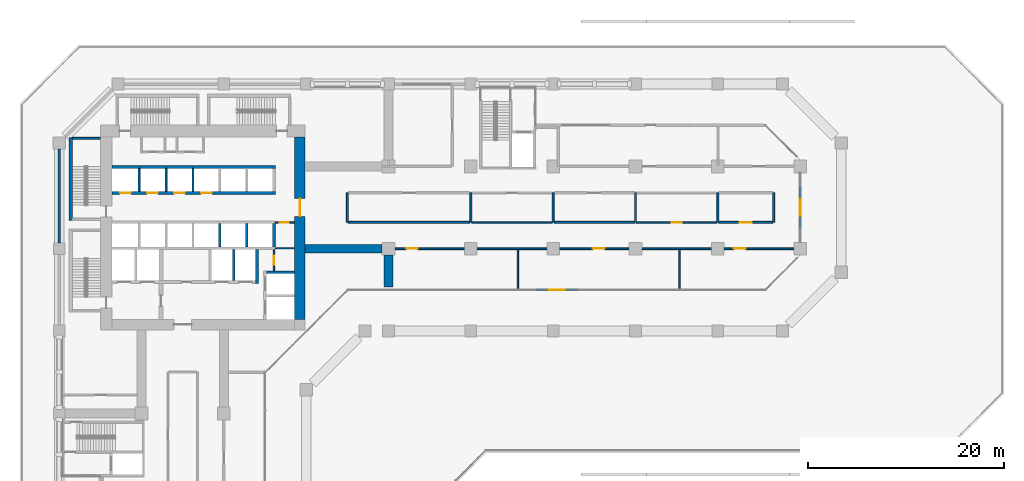
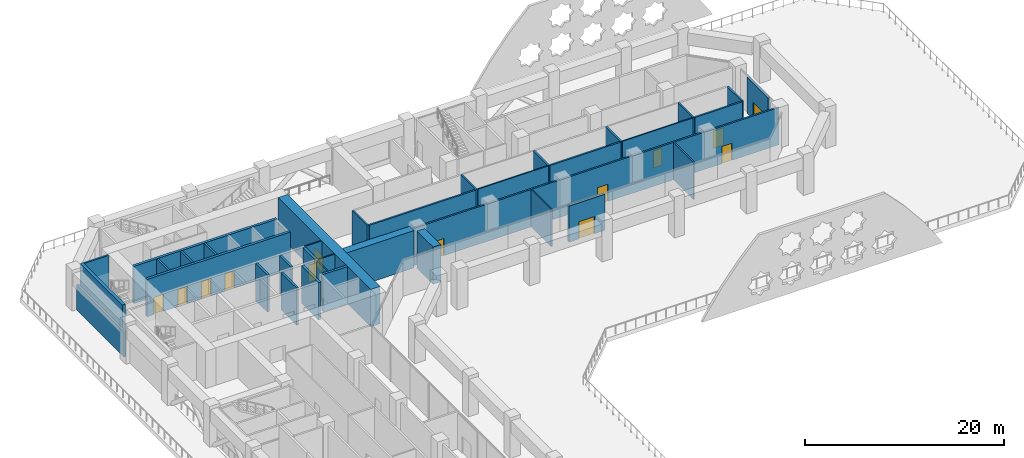
# One storey, part 8 of 19: 36 walls, 14 doors, 14 openings.
"""IFC4 building model written with IfcOpenShell, lengths in metres."""

from ifc_helpers import new_model, si_unit, direction, frame, frame_2d, origin, place, context, subcontext, project, spatial, rectangle, extrude, material, layer, layer_set, type_object, element, fill, save


model = new_model("IFC4")

# Units and contexts
model_context = context("Model", 3, precision=1e-05, world=origin(), true_north=direction((0.0, 1.0)))
body_context = subcontext(model_context, "Body", "Model", "MODEL_VIEW")
ifc_project = project(units=[si_unit("LENGTHUNIT", "METRE"), si_unit("AREAUNIT", "SQUARE_METRE"), si_unit("VOLUMEUNIT", "CUBIC_METRE"), si_unit("PLANEANGLEUNIT", "RADIAN"), si_unit("MASSUNIT", "GRAM", prefix="KILO")], contexts=[model_context])

# Site, building, storey
site_placement = place(None, origin())
site = spatial("IfcSite", under=ifc_project, at=site_placement, CompositionType="ELEMENT")
building_placement = place(site_placement, origin())
building = spatial("IfcBuilding", under=site, at=building_placement, Name="Kawkab Arch Medical Tower", CompositionType="ELEMENT")
storey_placement = place(building_placement, frame((0.0, 0.0, 34.199951171875)))
storey = spatial("IfcBuildingStorey", under=building, at=storey_placement, Name="L07", CompositionType="ELEMENT", Elevation=34.199951171875)

# Walls
ifc_material_1 = material(Name="Concrete C60/75", Category="concrete")
ifc_layer_1 = layer(ifc_material_1, 0.89990234375)
ifc_layer_set_1 = layer_set([ifc_layer_1], Name="Concrete C60/75")
wall_type_1 = type_object("IfcWallType", Name="Belt wall 900 C60/75", PredefinedType="SHEAR", material=ifc_layer_set_1)
wall_1_placement = place(storey_placement, frame((25.10009765625, -16.800048828125, 0.0), z_axis=(0.0, 0.0, 1.0), x_axis=(1.0, 0.0, 0.0)))
element("IfcWall", 1, at=wall_1_placement, inside=storey, type_object=wall_type_1, Name="Belt wall BW-L07-2", PredefinedType="SHEAR", context=body_context, shape_type="SweptSolid", body=[
    extrude(rectangle(XDim=7.849853515625, YDim=0.89990234375, at=frame_2d((3.9248046875, 0.0))), origin(), (0.0, 0.0, 1.0), 4.580078125),
])
wall_2_placement = place(storey_placement, frame((33.60009765625, -17.449951171875, 0.0), z_axis=(0.0, 0.0, 1.0), x_axis=(0.0, -1.0, 0.0)))
element("IfcWall", 2, at=wall_2_placement, inside=storey, type_object=wall_type_1, Name="Belt wall BW-L07-4", PredefinedType="SHEAR", context=body_context, shape_type="SweptSolid", body=[
    extrude(rectangle(XDim=3.25, YDim=0.89990234375, at=frame_2d((1.625, 0.0))), origin(), (0.0, 0.0, 1.0), 4.580078125),
])

# Wall, opening, door
ifc_material_2 = material(Name="Concrete C60/75", Category="concrete")
ifc_layer_2 = layer(ifc_material_2, 1.10009765625)
ifc_layer_set_2 = layer_set([ifc_layer_2], Name="Concrete C60/75")
wall_type_2 = type_object("IfcWallType", Name="Core ring wall 1100 C60/75", PredefinedType="SHEAR", material=ifc_layer_set_2)
wall_3_placement = place(storey_placement, frame((24.550048828125, -24.0, 0.0), z_axis=(0.0, 0.0, 1.0), x_axis=(0.0, 1.0, 0.0)))
wall_3 = element("IfcWall", 3, at=wall_3_placement, inside=storey, type_object=wall_type_2, Name="L07 core wall", PredefinedType="SHEAR", context=body_context, shape_type="SweptSolid", body=[
    extrude(rectangle(XDim=18.60009765625, YDim=1.10009765625, at=frame_2d((9.300048828125, 0.0))), origin(), (0.0, 0.0, 1.0), 4.580078125),
])
opening_1_placement = place(wall_3_placement, frame((10.5, 0.0, 0.0)))
opening_1 = element("IfcOpeningElement", 4, at=opening_1_placement, cuts=wall_3, Name="Opening PD", PredefinedType="OPENING", context=body_context, shape_type="SweptSolid", body=[
    extrude(rectangle(XDim=1.800048828125, YDim=2.10009765625, at=frame_2d((0.89990234375, 1.050048828125))), frame((0.0, 0.56005859375, 0.0), z_axis=(0.0, -1.0, 0.0), x_axis=(1.0, 0.0, 0.0)), (0.0, 0.0, 1.0), 1.1201171875),
])
ifc_material_3 = material(Name="Hollow metal fire door leaf")
door_type_1 = type_object("IfcDoorType", Name="Core entrance doors 1800", OperationType="DOUBLE_DOOR_SINGLE_SWING", PredefinedType="DOOR", material=ifc_material_3)
door_1_placement = place(opening_1_placement, origin())
door_1 = element("IfcDoor", 5, at=door_1_placement, inside=storey, type_object=door_type_1, Name="L07 East entrance doors", OperationType="DOUBLE_DOOR_SINGLE_SWING", OverallHeight=2.10009765625, OverallWidth=1.800048828125, PredefinedType="DOOR", context=body_context, shape_type="SweptSolid", body=[
    extrude(rectangle(XDim=1.800048828125, YDim=2.10009765625, at=frame_2d((0.89990234375, 1.050048828125))), frame((0.0, 0.02490234375, 0.0), z_axis=(0.0, -1.0, 0.0), x_axis=(1.0, 0.0, 0.0)), (0.0, 0.0, 1.0), 0.050048828125),
])
fill(opening_1, door_1)

ifc_material_4 = material(Name="Gypsum board on steel studs", Category="steel")
ifc_layer_3 = layer(ifc_material_4, 0.14990234375)
ifc_layer_set_3 = layer_set([ifc_layer_3], Name="Gypsum board on steel studs")
wall_type_3 = type_object("IfcWallType", Name="Core room partition 150", PredefinedType="PARTITIONING", material=ifc_layer_set_3)
wall_4_placement = place(storey_placement, frame((21.89990234375, -19.050048828125, 0.0), z_axis=(0.0, 0.0, 1.0), x_axis=(0.0, 1.0, 0.0)))
wall_4 = element("IfcWall", 6, at=wall_4_placement, inside=storey, type_object=wall_type_3, Name="L07 core room partition", PredefinedType="PARTITIONING", context=body_context, shape_type="SweptSolid", body=[
    extrude(rectangle(XDim=2.150146484375, YDim=0.14990234375, at=frame_2d((1.0751953125, 0.0))), origin(), (0.0, 0.0, 1.0), 4.580078125),
])
opening_2_placement = place(wall_4_placement, frame((0.625, 0.0, 0.0)))
opening_2 = element("IfcOpeningElement", 7, at=opening_2_placement, cuts=wall_4, Name="Opening RD", PredefinedType="OPENING", context=body_context, shape_type="SweptSolid", body=[
    extrude(rectangle(XDim=0.89990234375, YDim=2.10009765625, at=frame_2d((0.449951171875, 1.050048828125))), frame((0.0, 0.0849609375, 0.0), z_axis=(0.0, -1.0, 0.0), x_axis=(1.0, 0.0, 0.0)), (0.0, 0.0, 1.0), 0.169921875),
])
ifc_material_5 = material(Name="Hollow metal fire door leaf")
door_type_2 = type_object("IfcDoorType", Name="Core room door 900", OperationType="SINGLE_SWING_LEFT", PredefinedType="DOOR", material=ifc_material_5)
door_2_placement = place(opening_2_placement, origin())
door_2 = element("IfcDoor", 8, at=door_2_placement, inside=storey, type_object=door_type_2, Name="L07 Accessible WC door", OperationType="SINGLE_SWING_LEFT", OverallHeight=2.10009765625, OverallWidth=0.89990234375, PredefinedType="DOOR", context=body_context, shape_type="SweptSolid", body=[
    extrude(rectangle(XDim=0.89990234375, YDim=2.10009765625, at=frame_2d((0.449951171875, 1.050048828125))), frame((0.0, 0.02490234375, 0.0), z_axis=(0.0, -1.0, 0.0), x_axis=(1.0, 0.0, 0.0)), (0.0, 0.0, 1.0), 0.050048828125),
])
fill(opening_2, door_2)

# Wall
wall_5_placement = place(storey_placement, frame((22.050048828125, -16.75, 0.0), z_axis=(0.0, 0.0, 1.0), x_axis=(1.0, 0.0, 0.0)))
element("IfcWall", 9, at=wall_5_placement, inside=storey, type_object=wall_type_3, Name="L07 core room partition", PredefinedType="PARTITIONING", context=body_context, shape_type="SweptSolid", body=[
    extrude(rectangle(XDim=1.949951171875, YDim=0.14990234375, at=frame_2d((0.97509765625, 0.0))), origin(), (0.0, 0.0, 1.0), 4.580078125),
])

# Wall, opening, door
wall_6_placement = place(storey_placement, frame((22.050048828125, -14.10009765625, 0.0), z_axis=(0.0, 0.0, 1.0), x_axis=(1.0, 0.0, 0.0)))
wall_6 = element("IfcWall", 10, at=wall_6_placement, inside=storey, type_object=wall_type_3, Name="L07 core room partition", PredefinedType="PARTITIONING", context=body_context, shape_type="SweptSolid", body=[
    extrude(rectangle(XDim=1.949951171875, YDim=0.14990234375, at=frame_2d((0.97509765625, 0.0))), origin(), (0.0, 0.0, 1.0), 4.580078125),
])
opening_3_placement = place(wall_6_placement, frame((0.449951171875, 0.0, 0.0)))
opening_3 = element("IfcOpeningElement", 11, at=opening_3_placement, cuts=wall_6, Name="Opening RD", PredefinedType="OPENING", context=body_context, shape_type="SweptSolid", body=[
    extrude(rectangle(XDim=0.89990234375, YDim=2.10009765625, at=frame_2d((0.449951171875, 1.050048828125))), frame((0.0, 0.0849609375, 0.0), z_axis=(0.0, -1.0, 0.0), x_axis=(1.0, 0.0, 0.0)), (0.0, 0.0, 1.0), 0.169921875),
])
door_3_placement = place(opening_3_placement, origin())
door_3 = element("IfcDoor", 12, at=door_3_placement, inside=storey, type_object=door_type_2, Name="L07 Medication store door", OperationType="SINGLE_SWING_LEFT", OverallHeight=2.10009765625, OverallWidth=0.89990234375, PredefinedType="DOOR", context=body_context, shape_type="SweptSolid", body=[
    extrude(rectangle(XDim=0.89990234375, YDim=2.10009765625, at=frame_2d((0.449951171875, 1.050048828125))), frame((0.0, 0.02490234375, 0.0), z_axis=(0.0, -1.0, 0.0), x_axis=(1.0, 0.0, 0.0)), (0.0, 0.0, 1.0), 0.050048828125),
])
fill(opening_3, door_3)

# Walls
ifc_material_6 = material(Name="Concrete C60/75", Category="concrete")
ifc_layer_4 = layer(ifc_material_6, 0.25)
ifc_layer_set_4 = layer_set([ifc_layer_4], Name="Concrete C60/75")
wall_type_4 = type_object("IfcWallType", Name="Core shear wall 250 C60/75", PredefinedType="SHEAR", material=ifc_layer_set_4)
wall_7_placement = place(storey_placement, frame((17.800048828125, -20.050048828125, 0.0), z_axis=(0.0, 0.0, 1.0), x_axis=(0.0, 1.0, 0.0)))
element("IfcWall", 13, at=wall_7_placement, inside=storey, type_object=wall_type_4, Name="L07 core shear wall", PredefinedType="SHEAR", context=body_context, shape_type="SweptSolid", body=[
    extrude(rectangle(XDim=3.150146484375, YDim=0.25, at=frame_2d((1.5751953125, 0.0))), origin(), (0.0, 0.0, 1.0), 4.580078125),
])
for number, where, z_axis, x_axis, name in (
    (14, (16.39990234375, -16.60009765625, 0.0), (0.0, 0.0, 1.0), (0.0, 1.0, 0.0), "L07 core shear wall"),
    (15, (19.14990234375, -16.60009765625, 0.0), (0.0, 0.0, 1.0), (0.0, 1.0, 0.0), "L07 core shear wall"),
):
    element("IfcWall", number, at=place(storey_placement, frame(where, z_axis=z_axis, x_axis=x_axis)), inside=storey, type_object=wall_type_4, Name=name, PredefinedType="SHEAR", context=body_context, shape_type="SweptSolid", body=[
        extrude(rectangle(XDim=2.35009765625, YDim=0.25, at=frame_2d((1.175048828125, 0.0))), origin(), (0.0, 0.0, 1.0), 4.580078125),
    ])
ifc_material_7 = material(Name="Concrete C60/75", Category="concrete")
ifc_layer_5 = layer(ifc_material_7, 0.300048828125)
ifc_layer_set_5 = layer_set([ifc_layer_5], Name="Concrete C60/75")
wall_type_5 = type_object("IfcWallType", Name="Core shear wall 300 C60/75", PredefinedType="SHEAR", material=ifc_layer_set_5)
wall_8_placement = place(storey_placement, frame((5.39990234375, -8.449951171875, 0.0), z_axis=(0.0, 0.0, 1.0), x_axis=(1.0, 0.0, 0.0)))
element("IfcWall", 16, at=wall_8_placement, inside=storey, type_object=wall_type_5, Name="L07 core shear wall", PredefinedType="SHEAR", context=body_context, shape_type="SweptSolid", body=[
    extrude(rectangle(XDim=16.650146484375, YDim=0.300048828125, at=frame_2d((8.3251953125, 0.0))), origin(), (0.0, 0.0, 1.0), 4.580078125),
])

# Wall, openings, doors
wall_9_placement = place(storey_placement, frame((5.39990234375, -11.10009765625, 0.0), z_axis=(0.0, 0.0, 1.0), x_axis=(1.0, 0.0, 0.0)))
wall_9 = element("IfcWall", 17, at=wall_9_placement, inside=storey, type_object=wall_type_5, Name="L07 core shear wall", PredefinedType="SHEAR", context=body_context, shape_type="SweptSolid", body=[
    extrude(rectangle(XDim=16.650146484375, YDim=0.300048828125, at=frame_2d((8.3251953125, 0.0))), origin(), (0.0, 0.0, 1.0), 4.580078125),
])
opening_4_placement = place(wall_9_placement, frame((0.824951171875, 0.0, 0.0)))
opening_4 = element("IfcOpeningElement", 18, at=opening_4_placement, cuts=wall_9, Name="Opening LD1", PredefinedType="OPENING", context=body_context, shape_type="SweptSolid", body=[
    extrude(rectangle(XDim=1.10009765625, YDim=2.10009765625, at=frame_2d((0.550048828125, 1.050048828125))), frame((0.0, 0.159912109375, 0.0), z_axis=(0.0, -1.0, 0.0), x_axis=(1.0, 0.0, 0.0)), (0.0, 0.0, 1.0), 0.320068359375),
])
opening_5_placement = place(wall_9_placement, frame((3.574951171875, 0.0, 0.0)))
opening_5 = element("IfcOpeningElement", 19, at=opening_5_placement, cuts=wall_9, Name="Opening LD1", PredefinedType="OPENING", context=body_context, shape_type="SweptSolid", body=[
    extrude(rectangle(XDim=1.10009765625, YDim=2.10009765625, at=frame_2d((0.550048828125, 1.050048828125))), frame((0.0, 0.159912109375, 0.0), z_axis=(0.0, -1.0, 0.0), x_axis=(1.0, 0.0, 0.0)), (0.0, 0.0, 1.0), 0.320068359375),
])
opening_6_placement = place(wall_9_placement, frame((6.324951171875, 0.0, 0.0)))
opening_6 = element("IfcOpeningElement", 20, at=opening_6_placement, cuts=wall_9, Name="Opening LD1", PredefinedType="OPENING", context=body_context, shape_type="SweptSolid", body=[
    extrude(rectangle(XDim=1.10009765625, YDim=2.10009765625, at=frame_2d((0.550048828125, 1.050048828125))), frame((0.0, 0.159912109375, 0.0), z_axis=(0.0, -1.0, 0.0), x_axis=(1.0, 0.0, 0.0)), (0.0, 0.0, 1.0), 0.320068359375),
])
opening_7_placement = place(wall_9_placement, frame((9.074951171875, 0.0, 0.0)))
opening_7 = element("IfcOpeningElement", 21, at=opening_7_placement, cuts=wall_9, Name="Opening LD1", PredefinedType="OPENING", context=body_context, shape_type="SweptSolid", body=[
    extrude(rectangle(XDim=1.10009765625, YDim=2.10009765625, at=frame_2d((0.550048828125, 1.050048828125))), frame((0.0, 0.159912109375, 0.0), z_axis=(0.0, -1.0, 0.0), x_axis=(1.0, 0.0, 0.0)), (0.0, 0.0, 1.0), 0.320068359375),
])
ifc_material_8 = material(Name="Stainless steel lift door leaf", Category="steel")
door_type_3 = type_object("IfcDoorType", Name="Lift landing door 1100", OperationType="DOUBLE_DOOR_SLIDING", PredefinedType="DOOR", material=ifc_material_8)
door_4_placement = place(opening_4_placement, origin())
door_4 = element("IfcDoor", 22, at=door_4_placement, inside=storey, type_object=door_type_3, Name="L07 Lift landing door LP1", OperationType="DOUBLE_DOOR_SLIDING", OverallHeight=2.10009765625, OverallWidth=1.10009765625, PredefinedType="DOOR", context=body_context, shape_type="SweptSolid", body=[
    extrude(rectangle(XDim=1.10009765625, YDim=2.10009765625, at=frame_2d((0.550048828125, 1.050048828125))), frame((0.0, 0.02490234375, 0.0), z_axis=(0.0, -1.0, 0.0), x_axis=(1.0, 0.0, 0.0)), (0.0, 0.0, 1.0), 0.050048828125),
])
fill(opening_4, door_4)
door_5_placement = place(opening_5_placement, origin())
door_5 = element("IfcDoor", 23, at=door_5_placement, inside=storey, type_object=door_type_3, Name="L07 Lift landing door LP2", OperationType="DOUBLE_DOOR_SLIDING", OverallHeight=2.10009765625, OverallWidth=1.10009765625, PredefinedType="DOOR", context=body_context, shape_type="SweptSolid", body=[
    extrude(rectangle(XDim=1.10009765625, YDim=2.10009765625, at=frame_2d((0.550048828125, 1.050048828125))), frame((0.0, 0.02490234375, 0.0), z_axis=(0.0, -1.0, 0.0), x_axis=(1.0, 0.0, 0.0)), (0.0, 0.0, 1.0), 0.050048828125),
])
fill(opening_5, door_5)
door_6_placement = place(opening_6_placement, origin())
door_6 = element("IfcDoor", 24, at=door_6_placement, inside=storey, type_object=door_type_3, Name="L07 Lift landing door LP3", OperationType="DOUBLE_DOOR_SLIDING", OverallHeight=2.10009765625, OverallWidth=1.10009765625, PredefinedType="DOOR", context=body_context, shape_type="SweptSolid", body=[
    extrude(rectangle(XDim=1.10009765625, YDim=2.10009765625, at=frame_2d((0.550048828125, 1.050048828125))), frame((0.0, 0.02490234375, 0.0), z_axis=(0.0, -1.0, 0.0), x_axis=(1.0, 0.0, 0.0)), (0.0, 0.0, 1.0), 0.050048828125),
])
fill(opening_6, door_6)
door_7_placement = place(opening_7_placement, origin())
door_7 = element("IfcDoor", 25, at=door_7_placement, inside=storey, type_object=door_type_3, Name="L07 Lift landing door LP4", OperationType="DOUBLE_DOOR_SLIDING", OverallHeight=2.10009765625, OverallWidth=1.10009765625, PredefinedType="DOOR", context=body_context, shape_type="SweptSolid", body=[
    extrude(rectangle(XDim=1.10009765625, YDim=2.10009765625, at=frame_2d((0.550048828125, 1.050048828125))), frame((0.0, 0.02490234375, 0.0), z_axis=(0.0, -1.0, 0.0), x_axis=(1.0, 0.0, 0.0)), (0.0, 0.0, 1.0), 0.050048828125),
])
fill(opening_7, door_7)

# Walls
wall_10_placement = place(storey_placement, frame((20.199951171875, -20.35009765625, 0.0), z_axis=(0.0, 0.0, 1.0), x_axis=(0.0, 1.0, 0.0)))
element("IfcWall", 26, at=wall_10_placement, inside=storey, type_object=wall_type_5, Name="L07 core shear wall", PredefinedType="SHEAR", context=body_context, shape_type="SweptSolid", body=[
    extrude(rectangle(XDim=3.4501953125, YDim=0.300048828125, at=frame_2d((1.72509765625, 0.0))), origin(), (0.0, 0.0, 1.0), 4.580078125),
])
wall_11_placement = place(storey_placement, frame((21.89990234375, -16.60009765625, 0.0), z_axis=(0.0, 0.0, 1.0), x_axis=(0.0, 1.0, 0.0)))
element("IfcWall", 27, at=wall_11_placement, inside=storey, type_object=wall_type_5, Name="L07 core shear wall", PredefinedType="SHEAR", context=body_context, shape_type="SweptSolid", body=[
    extrude(rectangle(XDim=2.35009765625, YDim=0.300048828125, at=frame_2d((1.175048828125, 0.0))), origin(), (0.0, 0.0, 1.0), 4.580078125),
])
wall_12_placement = place(storey_placement, frame((21.14990234375, -19.199951171875, 0.0), z_axis=(0.0, 0.0, 1.0), x_axis=(1.0, 0.0, 0.0)))
element("IfcWall", 28, at=wall_12_placement, inside=storey, type_object=wall_type_5, Name="L07 core shear wall", PredefinedType="SHEAR", context=body_context, shape_type="SweptSolid", body=[
    extrude(rectangle(XDim=2.85009765625, YDim=0.300048828125, at=frame_2d((1.425048828125, 0.0))), origin(), (0.0, 0.0, 1.0), 4.580078125),
])
ifc_material_9 = material(Name="Bronze clad insulated wall panel")
ifc_layer_6 = layer(ifc_material_9, 0.25)
ifc_layer_set_6 = layer_set([ifc_layer_6], Name="Bronze clad insulated wall panel")
wall_type_6 = type_object("IfcWallType", Name="External wall bay 250", PredefinedType="SOLIDWALL", material=ifc_layer_set_6)
wall_13_placement = place(storey_placement, frame((0.0, -6.625, 0.0), z_axis=(0.0, 0.0, 1.0), x_axis=(0.0, -1.0, 0.0)))
element("IfcWall", 29, at=wall_13_placement, inside=storey, type_object=wall_type_6, Name="Plant wall L07.R02.1", PredefinedType="SOLIDWALL", context=body_context, shape_type="SweptSolid", body=[
    extrude(rectangle(XDim=9.574951171875, YDim=0.25, at=frame_2d((4.78759765625, 0.0))), origin(), (0.0, 0.0, 1.0), 3.080078125),
])

# Wall, opening, door
wall_14_placement = place(storey_placement, frame((48.659912109375, -21.0, 0.0), z_axis=(0.0, 0.0, 1.0), x_axis=(1.0, 0.0, 0.0)))
wall_14 = element("IfcWall", 30, at=wall_14_placement, inside=storey, type_object=wall_type_6, Name="External wall bay L07.R11.4.2", PredefinedType="SOLIDWALL", context=body_context, shape_type="SweptSolid", body=[
    extrude(rectangle(XDim=4.2001953125, YDim=0.25, at=frame_2d((2.10009765625, 0.0))), origin(), (0.0, 0.0, 1.0), 4.420166015625),
])
opening_8_placement = place(wall_14_placement, frame((1.199951171875, 0.0, 0.0)))
opening_8 = element("IfcOpeningElement", 31, at=opening_8_placement, cuts=wall_14, Name="Opening PL1A-702", PredefinedType="OPENING", context=body_context, shape_type="SweptSolid", body=[
    extrude(rectangle(XDim=1.800048828125, YDim=2.10009765625, at=frame_2d((0.89990234375, 1.050048828125))), frame((0.0, 0.135009765625, 0.0), z_axis=(0.0, -1.0, 0.0), x_axis=(1.0, 0.0, 0.0)), (0.0, 0.0, 1.0), 0.27001953125),
])
ifc_material_10 = material(Name="Bronze anodised aluminium door with tinted glass", Category="aluminium")
door_type_4 = type_object("IfcDoorType", Name="Double external door 1800 x 2100", OperationType="DOUBLE_DOOR_SINGLE_SWING", PredefinedType="DOOR", material=ifc_material_10)
door_8_placement = place(opening_8_placement, origin())
door_8 = element("IfcDoor", 32, at=door_8_placement, inside=storey, type_object=door_type_4, Name="External door L07.R11.4.2", OperationType="DOUBLE_DOOR_SINGLE_SWING", OverallHeight=2.10009765625, OverallWidth=1.800048828125, PredefinedType="DOOR", context=body_context, shape_type="SweptSolid", body=[
    extrude(rectangle(XDim=1.800048828125, YDim=2.10009765625, at=frame_2d((0.89990234375, 1.050048828125))), frame((0.0, 0.02490234375, 0.0), z_axis=(0.0, -1.0, 0.0), x_axis=(1.0, 0.0, 0.0)), (0.0, 0.0, 1.0), 0.050048828125),
])
fill(opening_8, door_8)

wall_15_placement = place(storey_placement, frame((75.60009765625, -14.699951171875, 0.0), z_axis=(0.0, 0.0, 1.0), x_axis=(0.0, 1.0, 0.0)))
wall_15 = element("IfcWall", 33, at=wall_15_placement, inside=storey, type_object=wall_type_6, Name="External wall bay L07.R13.1.2", PredefinedType="SOLIDWALL", context=body_context, shape_type="SweptSolid", body=[
    extrude(rectangle(XDim=4.199951171875, YDim=0.25, at=frame_2d((2.10009765625, 0.0))), origin(), (0.0, 0.0, 1.0), 4.420166015625),
])
opening_9_placement = place(wall_15_placement, frame((1.199951171875, 0.0, 0.0)))
opening_9 = element("IfcOpeningElement", 34, at=opening_9_placement, cuts=wall_15, Name="Opening PL1A-702", PredefinedType="OPENING", context=body_context, shape_type="SweptSolid", body=[
    extrude(rectangle(XDim=1.800048828125, YDim=2.10009765625, at=frame_2d((0.89990234375, 1.050048828125))), frame((0.0, 0.135009765625, 0.0), z_axis=(0.0, -1.0, 0.0), x_axis=(1.0, 0.0, 0.0)), (0.0, 0.0, 1.0), 0.27001953125),
])
door_9_placement = place(opening_9_placement, origin())
door_9 = element("IfcDoor", 35, at=door_9_placement, inside=storey, type_object=door_type_4, Name="External door L07.R13.1.2", OperationType="DOUBLE_DOOR_SINGLE_SWING", OverallHeight=2.10009765625, OverallWidth=1.800048828125, PredefinedType="DOOR", context=body_context, shape_type="SweptSolid", body=[
    extrude(rectangle(XDim=1.800048828125, YDim=2.10009765625, at=frame_2d((0.89990234375, 1.050048828125))), frame((0.0, 0.02490234375, 0.0), z_axis=(0.0, -1.0, 0.0), x_axis=(1.0, 0.0, 0.0)), (0.0, 0.0, 1.0), 0.050048828125),
])
fill(opening_9, door_9)

# Walls
ifc_material_11 = material(Name="Dense concrete blockwork", Category="masonry")
ifc_layer_7 = layer(ifc_material_11, 0.199951171875)
ifc_layer_set_7 = layer_set([ifc_layer_7], Name="Dense concrete blockwork")
wall_type_7 = type_object("IfcWallType", Name="Lift shaft partition 200", PredefinedType="PARTITIONING", material=ifc_layer_set_7)
for number, where, z_axis, x_axis, name in (
    (36, (8.14990234375, -10.949951171875, 0.0), (0.0, 0.0, 1.0), (0.0, 1.0, 0.0), "L07 lift shaft partition"),
    (37, (10.89990234375, -10.949951171875, 0.0), (0.0, 0.0, 1.0), (0.0, 1.0, 0.0), "L07 lift shaft partition"),
    (38, (13.64990234375, -10.949951171875, 0.0), (0.0, 0.0, 1.0), (0.0, 1.0, 0.0), "L07 lift shaft partition"),
):
    element("IfcWall", number, at=place(storey_placement, frame(where, z_axis=z_axis, x_axis=x_axis)), inside=storey, type_object=wall_type_7, Name=name, PredefinedType="PARTITIONING", context=body_context, shape_type="SweptSolid", body=[
        extrude(rectangle(XDim=2.349853515625, YDim=0.199951171875, at=frame_2d((1.1748046875, 0.0))), origin(), (0.0, 0.0, 1.0), 4.580078125),
    ])
ifc_material_12 = material(Name="Gypsum board partition on steel studs, mineral wool", Category="steel")
ifc_layer_8 = layer(ifc_material_12, 0.14990234375)
ifc_layer_set_8 = layer_set([ifc_layer_8], Name="Gypsum board partition on steel studs, mineral wool")
wall_type_8 = type_object("IfcWallType", Name="Partition 150", PredefinedType="PARTITIONING", material=ifc_layer_set_8)
wall_16_placement = place(storey_placement, frame((42.10009765625, -14.10009765625, 0.0), z_axis=(0.0, 0.0, 1.0), x_axis=(1.0, 0.0, 0.0)))
element("IfcWall", 39, at=wall_16_placement, inside=storey, type_object=wall_type_8, Name="Partition 150 w008", PredefinedType="PARTITIONING", context=body_context, shape_type="SweptSolid", body=[
    extrude(rectangle(XDim=8.199951171875, YDim=0.14990234375, at=frame_2d((4.10009765625, 0.0))), origin(), (0.0, 0.0, 1.0), 4.580078125),
])

# Wall, opening, door
wall_17_placement = place(storey_placement, frame((58.89990234375, -14.10009765625, 0.0), z_axis=(0.0, 0.0, 1.0), x_axis=(1.0, 0.0, 0.0)))
wall_17 = element("IfcWall", 40, at=wall_17_placement, inside=storey, type_object=wall_type_8, Name="Partition 150 w009", PredefinedType="PARTITIONING", context=body_context, shape_type="SweptSolid", body=[
    extrude(rectangle(XDim=8.2001953125, YDim=0.14990234375, at=frame_2d((4.10009765625, 0.0))), origin(), (0.0, 0.0, 1.0), 4.580078125),
])
opening_10_placement = place(wall_17_placement, frame((3.60009765625, 0.0, 0.0)))
opening_10 = element("IfcOpeningElement", 41, at=opening_10_placement, cuts=wall_17, Name="Opening PL1A-002", PredefinedType="OPENING", context=body_context, shape_type="SweptSolid", body=[
    extrude(rectangle(XDim=1.0, YDim=2.10009765625, at=frame_2d((0.5, 1.050048828125))), frame((0.0, 0.0849609375, 0.0), z_axis=(0.0, -1.0, 0.0), x_axis=(1.0, 0.0, 0.0)), (0.0, 0.0, 1.0), 0.169921875),
])
ifc_material_13 = material(Name="Hollow metal door leaf")
door_type_5 = type_object("IfcDoorType", Name="Single door 1000x2100 FD30S", OperationType="NOTDEFINED", PredefinedType="DOOR", material=ifc_material_13)
door_10_placement = place(opening_10_placement, origin())
door_10 = element("IfcDoor", 42, at=door_10_placement, inside=storey, type_object=door_type_5, Name="Door PL1A-002", OperationType="SINGLE_SWING_LEFT", OverallHeight=2.10009765625, OverallWidth=1.0, PredefinedType="DOOR", context=body_context, shape_type="SweptSolid", body=[
    extrude(rectangle(XDim=1.0, YDim=2.10009765625, at=frame_2d((0.5, 1.050048828125))), frame((0.0, 0.02490234375, 0.0), z_axis=(0.0, -1.0, 0.0), x_axis=(1.0, 0.0, 0.0)), (0.0, 0.0, 1.0), 0.050048828125),
])
fill(opening_10, door_10)

# Walls
for number, where, z_axis, x_axis, name in (
    (43, (46.800048828125, -20.919921875, 0.0), (0.0, 0.0, 1.0), (0.0, 1.0, 0.0), "Partition 150 w015"),
    (44, (63.300048828125, -20.919921875, 0.0), (0.0, 0.0, 1.0), (0.0, 1.0, 0.0), "Partition 150 w016"),
):
    element("IfcWall", number, at=place(storey_placement, frame(where, z_axis=z_axis, x_axis=x_axis)), inside=storey, type_object=wall_type_8, Name=name, PredefinedType="PARTITIONING", context=body_context, shape_type="SweptSolid", body=[
        extrude(rectangle(XDim=4.02001953125, YDim=0.14990234375, at=frame_2d((2.010009765625, 0.0))), origin(), (0.0, 0.0, 1.0), 4.580078125),
    ])

# Wall, openings, doors
ifc_material_14 = material(Name="Fire-rated gypsum board partition on steel studs", Category="steel")
ifc_layer_9 = layer(ifc_material_14, 0.199951171875)
ifc_layer_set_9 = layer_set([ifc_layer_9], Name="Fire-rated gypsum board partition on steel studs")
wall_type_9 = type_object("IfcWallType", Name="Protected partition 200", PredefinedType="PARTITIONING", material=ifc_layer_set_9)
wall_18_placement = place(storey_placement, frame((32.949951171875, -16.800048828125, 0.0), z_axis=(0.0, 0.0, 1.0), x_axis=(1.0, 0.0, 0.0)))
wall_18 = element("IfcWall", 45, at=wall_18_placement, inside=storey, type_object=wall_type_9, Name="Protected partition 200 w023", PredefinedType="PARTITIONING", context=body_context, shape_type="SweptSolid", body=[
    extrude(rectangle(XDim=42.570068359375, YDim=0.199951171875, at=frame_2d((21.28515625, 0.0))), origin(), (0.0, 0.0, 1.0), 4.580078125),
])
opening_11_placement = place(wall_18_placement, frame((2.449951171875, 0.0, 0.0)))
opening_11 = element("IfcOpeningElement", 46, at=opening_11_placement, cuts=wall_18, Name="Opening PL1A-010", PredefinedType="OPENING", context=body_context, shape_type="SweptSolid", body=[
    extrude(rectangle(XDim=1.199951171875, YDim=2.10009765625, at=frame_2d((0.60009765625, 1.050048828125))), frame((0.0, 0.10986328125, 0.0), z_axis=(0.0, -1.0, 0.0), x_axis=(1.0, 0.0, 0.0)), (0.0, 0.0, 1.0), 0.219970703125),
])
opening_12_placement = place(wall_18_placement, frame((21.5, 0.0, 0.0)))
opening_12 = element("IfcOpeningElement", 47, at=opening_12_placement, cuts=wall_18, Name="Opening PL1A-011", PredefinedType="OPENING", context=body_context, shape_type="SweptSolid", body=[
    extrude(rectangle(XDim=1.199951171875, YDim=2.10009765625, at=frame_2d((0.60009765625, 1.050048828125))), frame((0.0, 0.10986328125, 0.0), z_axis=(0.0, -1.0, 0.0), x_axis=(1.0, 0.0, 0.0)), (0.0, 0.0, 1.0), 0.219970703125),
])
opening_13_placement = place(wall_18_placement, frame((35.89990234375, 0.0, 0.0)))
opening_13 = element("IfcOpeningElement", 48, at=opening_13_placement, cuts=wall_18, Name="Opening PL1A-012", PredefinedType="OPENING", context=body_context, shape_type="SweptSolid", body=[
    extrude(rectangle(XDim=1.199951171875, YDim=2.10009765625, at=frame_2d((0.60009765625, 1.050048828125))), frame((0.0, 0.10986328125, 0.0), z_axis=(0.0, -1.0, 0.0), x_axis=(1.0, 0.0, 0.0)), (0.0, 0.0, 1.0), 0.219970703125),
])
ifc_material_15 = material(Name="Hollow metal door leaf")
door_type_6 = type_object("IfcDoorType", Name="Single door 1200x2100 FD60", OperationType="NOTDEFINED", PredefinedType="DOOR", material=ifc_material_15)
door_11_placement = place(opening_11_placement, origin())
door_11 = element("IfcDoor", 49, at=door_11_placement, inside=storey, type_object=door_type_6, Name="Door PL1A-010", OperationType="SINGLE_SWING_RIGHT", OverallHeight=2.10009765625, OverallWidth=1.199951171875, PredefinedType="DOOR", context=body_context, shape_type="SweptSolid", body=[
    extrude(rectangle(XDim=1.199951171875, YDim=2.10009765625, at=frame_2d((0.60009765625, 1.050048828125))), frame((0.0, 0.02490234375, 0.0), z_axis=(0.0, -1.0, 0.0), x_axis=(1.0, 0.0, 0.0)), (0.0, 0.0, 1.0), 0.050048828125),
])
fill(opening_11, door_11)
door_12_placement = place(opening_12_placement, origin())
door_12 = element("IfcDoor", 50, at=door_12_placement, inside=storey, type_object=door_type_6, Name="Door PL1A-011", OperationType="SINGLE_SWING_LEFT", OverallHeight=2.10009765625, OverallWidth=1.199951171875, PredefinedType="DOOR", context=body_context, shape_type="SweptSolid", body=[
    extrude(rectangle(XDim=1.199951171875, YDim=2.10009765625, at=frame_2d((0.60009765625, 1.050048828125))), frame((0.0, 0.02490234375, 0.0), z_axis=(0.0, -1.0, 0.0), x_axis=(1.0, 0.0, 0.0)), (0.0, 0.0, 1.0), 0.050048828125),
])
fill(opening_12, door_12)
door_13_placement = place(opening_13_placement, origin())
door_13 = element("IfcDoor", 51, at=door_13_placement, inside=storey, type_object=door_type_6, Name="Door PL1A-012", OperationType="SINGLE_SWING_LEFT", OverallHeight=2.10009765625, OverallWidth=1.199951171875, PredefinedType="DOOR", context=body_context, shape_type="SweptSolid", body=[
    extrude(rectangle(XDim=1.199951171875, YDim=2.10009765625, at=frame_2d((0.60009765625, 1.050048828125))), frame((0.0, 0.02490234375, 0.0), z_axis=(0.0, -1.0, 0.0), x_axis=(1.0, 0.0, 0.0)), (0.0, 0.0, 1.0), 0.050048828125),
])
fill(opening_13, door_13)

# Walls
wall_19_placement = place(storey_placement, frame((29.5, -14.10009765625, 0.0), z_axis=(0.0, 0.0, 1.0), x_axis=(1.0, 0.0, 0.0)))
element("IfcWall", 52, at=wall_19_placement, inside=storey, type_object=wall_type_9, Name="Protected partition 200 w024", PredefinedType="PARTITIONING", context=body_context, shape_type="SweptSolid", body=[
    extrude(rectangle(XDim=12.39990234375, YDim=0.199951171875, at=frame_2d((6.199951171875, 0.0))), origin(), (0.0, 0.0, 1.0), 4.580078125),
])
wall_20_placement = place(storey_placement, frame((50.5, -14.10009765625, 0.0), z_axis=(0.0, 0.0, 1.0), x_axis=(1.0, 0.0, 0.0)))
element("IfcWall", 53, at=wall_20_placement, inside=storey, type_object=wall_type_9, Name="Protected partition 200 w025", PredefinedType="PARTITIONING", context=body_context, shape_type="SweptSolid", body=[
    extrude(rectangle(XDim=8.199951171875, YDim=0.199951171875, at=frame_2d((4.10009765625, 0.0))), origin(), (0.0, 0.0, 1.0), 4.580078125),
])

# Wall, opening, door
wall_21_placement = place(storey_placement, frame((67.300048828125, -14.10009765625, 0.0), z_axis=(0.0, 0.0, 1.0), x_axis=(1.0, 0.0, 0.0)))
wall_21 = element("IfcWall", 54, at=wall_21_placement, inside=storey, type_object=wall_type_9, Name="Protected partition 200 w026", PredefinedType="PARTITIONING", context=body_context, shape_type="SweptSolid", body=[
    extrude(rectangle(XDim=5.5, YDim=0.199951171875, at=frame_2d((2.75, 0.0))), origin(), (0.0, 0.0, 1.0), 4.580078125),
])
opening_14_placement = place(wall_21_placement, frame((2.14990234375, 0.0, 0.0)))
opening_14 = element("IfcOpeningElement", 55, at=opening_14_placement, cuts=wall_21, Name="Opening PL1A-009", PredefinedType="OPENING", context=body_context, shape_type="SweptSolid", body=[
    extrude(rectangle(XDim=1.199951171875, YDim=2.10009765625, at=frame_2d((0.60009765625, 1.050048828125))), frame((0.0, 0.10986328125, 0.0), z_axis=(0.0, -1.0, 0.0), x_axis=(1.0, 0.0, 0.0)), (0.0, 0.0, 1.0), 0.219970703125),
])
door_14_placement = place(opening_14_placement, origin())
door_14 = element("IfcDoor", 56, at=door_14_placement, inside=storey, type_object=door_type_6, Name="Door PL1A-009", OperationType="SINGLE_SWING_RIGHT", OverallHeight=2.10009765625, OverallWidth=1.199951171875, PredefinedType="DOOR", context=body_context, shape_type="SweptSolid", body=[
    extrude(rectangle(XDim=1.199951171875, YDim=2.10009765625, at=frame_2d((0.60009765625, 1.050048828125))), frame((0.0, 0.02490234375, 0.0), z_axis=(0.0, -1.0, 0.0), x_axis=(1.0, 0.0, 0.0)), (0.0, 0.0, 1.0), 0.050048828125),
])
fill(opening_14, door_14)

# Walls
wall_22_placement = place(storey_placement, frame((29.39990234375, -14.10009765625, 0.0), z_axis=(0.0, 0.0, 1.0), x_axis=(0.0, 1.0, 0.0)))
element("IfcWall", 57, at=wall_22_placement, inside=storey, type_object=wall_type_9, Name="Protected partition 200 w038", PredefinedType="PARTITIONING", context=body_context, shape_type="SweptSolid", body=[
    extrude(rectangle(XDim=2.9970703125, YDim=0.199951171875, at=frame_2d((1.49853515625, 0.0))), origin(), (0.0, 0.0, 1.0), 4.580078125),
])
for number, where, z_axis, x_axis, name in (
    (58, (42.0, -14.10009765625, 0.0), (0.0, 0.0, 1.0), (0.0, 1.0, 0.0), "Protected partition 200 w041"),
    (59, (50.39990234375, -14.10009765625, 0.0), (0.0, 0.0, 1.0), (0.0, 1.0, 0.0), "Protected partition 200 w042"),
    (60, (58.800048828125, -14.10009765625, 0.0), (0.0, 0.0, 1.0), (0.0, 1.0, 0.0), "Protected partition 200 w044"),
    (61, (67.199951171875, -14.10009765625, 0.0), (0.0, 0.0, 1.0), (0.0, 1.0, 0.0), "Protected partition 200 w045"),
):
    element("IfcWall", number, at=place(storey_placement, frame(where, z_axis=z_axis, x_axis=x_axis)), inside=storey, type_object=wall_type_9, Name=name, PredefinedType="PARTITIONING", context=body_context, shape_type="SweptSolid", body=[
        extrude(rectangle(XDim=3.0, YDim=0.199951171875, at=frame_2d((1.5, 0.0))), origin(), (0.0, 0.0, 1.0), 4.580078125),
    ])
wall_23_placement = place(storey_placement, frame((72.89990234375, -14.10009765625, 0.0), z_axis=(0.0, 0.0, 1.0), x_axis=(0.0, 1.0, 0.0)))
element("IfcWall", 62, at=wall_23_placement, inside=storey, type_object=wall_type_9, Name="Protected partition 200 w046", PredefinedType="PARTITIONING", context=body_context, shape_type="SweptSolid", body=[
    extrude(rectangle(XDim=2.9970703125, YDim=0.199951171875, at=frame_2d((1.49853515625, 0.0))), origin(), (0.0, 0.0, 1.0), 4.580078125),
])
ifc_material_16 = material(Name="Concrete C50/60", Category="concrete")
ifc_layer_10 = layer(ifc_material_16, 0.199951171875)
ifc_layer_set_10 = layer_set([ifc_layer_10], Name="Concrete C50/60")
wall_type_10 = type_object("IfcWallType", Name="Stair enclosure wall 200 C50/60", PredefinedType="SHEAR", material=ifc_layer_set_10)
wall_24_placement = place(storey_placement, frame((1.35009765625, -5.550048828125, 0.0), z_axis=(0.0, 0.0, 1.0), x_axis=(1.0, 0.0, 0.0)))
element("IfcWall", 63, at=wall_24_placement, inside=storey, type_object=wall_type_10, Name="L07 stair enclosure wall", PredefinedType="SHEAR", context=body_context, shape_type="SweptSolid", body=[
    extrude(rectangle(XDim=2.849853515625, YDim=0.199951171875, at=frame_2d((1.4248046875, 0.0))), origin(), (0.0, 0.0, 1.0), 4.580078125),
])
ifc_material_17 = material(Name="Concrete C50/60", Category="concrete")
ifc_layer_11 = layer(ifc_material_17, 0.35009765625)
ifc_layer_set_11 = layer_set([ifc_layer_11], Name="Concrete C50/60")
wall_type_11 = type_object("IfcWallType", Name="Stair enclosure wall 350 C50/60", PredefinedType="SHEAR", material=ifc_layer_set_11)
wall_25_placement = place(storey_placement, frame((1.175048828125, -13.89990234375, 0.0), z_axis=(0.0, 0.0, 1.0), x_axis=(0.0, 1.0, 0.0)))
element("IfcWall", 64, at=wall_25_placement, inside=storey, type_object=wall_type_11, Name="L07 stair enclosure wall", PredefinedType="SHEAR", context=body_context, shape_type="SweptSolid", body=[
    extrude(rectangle(XDim=8.449951171875, YDim=0.35009765625, at=frame_2d((4.22509765625, 0.0))), origin(), (0.0, 0.0, 1.0), 4.580078125),
])

save(model, "model.ifc")
